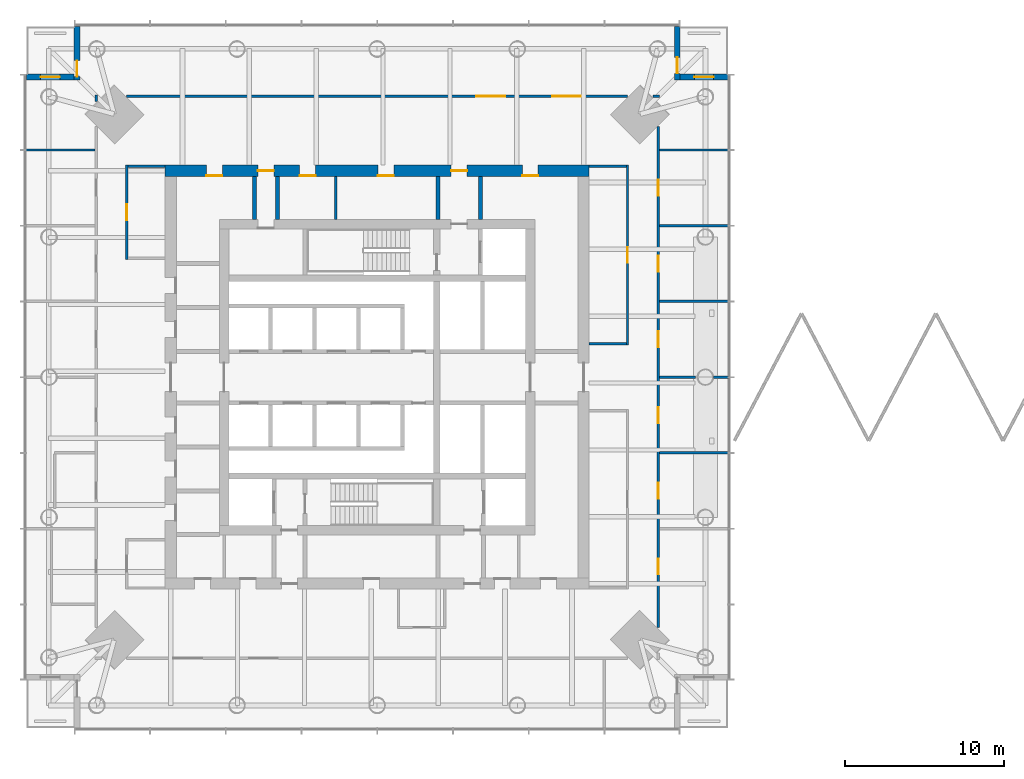
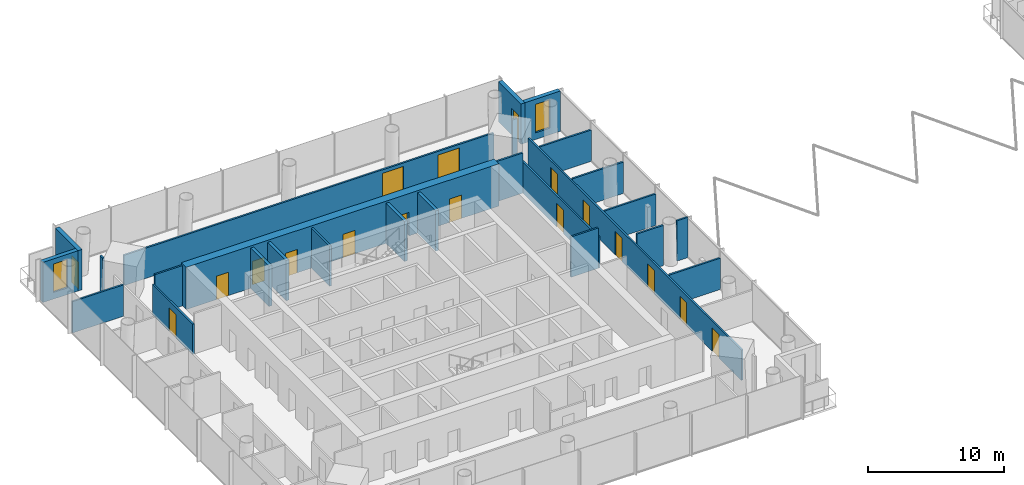
# One storey, part 12 of 19: 26 walls, 18 doors, 2 windows, 20 openings.
"""IFC4 building model written with IfcOpenShell, lengths in metres."""

from ifc_helpers import new_model, si_unit, direction, frame, frame_2d, origin, place, context, subcontext, project, spatial, rectangle, extrude, material, layer, layer_set, type_object, element, fill, save


model = new_model("IFC4")

# Units and contexts
model_context = context("Model", 3, precision=1e-05, world=origin(), true_north=direction((0.0, 1.0)))
body_context = subcontext(model_context, "Body", "Model", "MODEL_VIEW")
ifc_project = project(units=[si_unit("LENGTHUNIT", "METRE"), si_unit("AREAUNIT", "SQUARE_METRE"), si_unit("VOLUMEUNIT", "CUBIC_METRE"), si_unit("PLANEANGLEUNIT", "RADIAN"), si_unit("MASSUNIT", "GRAM", prefix="KILO")], contexts=[model_context])

# Site, building, storey
site_placement = place(None, origin())
site = spatial("IfcSite", under=ifc_project, at=site_placement, CompositionType="ELEMENT")
building_placement = place(site_placement, origin())
building = spatial("IfcBuilding", under=site, at=building_placement, Name="Ostroluk Exchange", CompositionType="ELEMENT")
storey_placement = place(building_placement, frame((0.0, 0.0, 127.39990234375)))
storey = spatial("IfcBuildingStorey", under=building, at=storey_placement, Name="L32", CompositionType="ELEMENT", Elevation=127.39990234375)

# Walls
ifc_material_1 = material(Name="Concrete blockwork", Category="masonry")
ifc_layer_1 = layer(ifc_material_1, 0.14990234375)
ifc_layer_set_1 = layer_set([ifc_layer_1], Name="Blockwork plant room wall 150")
wall_type_1 = type_object("IfcWallType", Name="Blockwork plant room wall 150", PredefinedType="SOLIDWALL", material=ifc_layer_set_1)
wall_1_placement = place(storey_placement, frame((42.40478515625, 55.89990234375, 0.0), z_axis=(0.0, 0.0, 1.0), x_axis=(0.0, 1.0, 0.0)))
element("IfcWall", 1, at=wall_1_placement, inside=storey, type_object=wall_type_1, Name="Core room wall", PredefinedType="SOLIDWALL", context=body_context, shape_type="SweptSolid", body=[
    extrude(rectangle(XDim=2.7001953125, YDim=0.14990234375, at=frame_2d((1.35009765625, 0.0))), origin(), (0.0, 0.0, 1.0), 3.6201171875),
])
ifc_material_2 = material(Name="Concrete blockwork", Category="masonry")
ifc_layer_2 = layer(ifc_material_2, 0.25)
ifc_layer_set_2 = layer_set([ifc_layer_2], Name="Blockwork stair enclosure wall 250")
wall_type_2 = type_object("IfcWallType", Name="Blockwork stair enclosure wall 250", PredefinedType="SOLIDWALL", material=ifc_layer_set_2)
for number, where, z_axis, x_axis, name in (
    (2, (48.804931640625, 55.89990234375, 0.0), (0.0, 0.0, 1.0), (0.0, 1.0, 0.0), "Fire lobby enclosure wall"),
    (3, (51.47509765625, 55.89990234375, 0.0), (0.0, 0.0, 1.0), (0.0, 1.0, 0.0), "Fire lobby enclosure wall"),
    (4, (37.300048828125, 55.89990234375, 0.0), (0.0, 0.0, 1.0), (0.0, 1.0, 0.0), "Core corridor wall"),
    (5, (38.75, 55.89990234375, 0.0), (0.0, 0.0, 1.0), (0.0, 1.0, 0.0), "Core corridor wall"),
):
    element("IfcWall", number, at=place(storey_placement, frame(where, z_axis=z_axis, x_axis=x_axis)), inside=storey, type_object=wall_type_2, Name=name, PredefinedType="SOLIDWALL", context=body_context, shape_type="SweptSolid", body=[
        extrude(rectangle(XDim=2.7001953125, YDim=0.25, at=frame_2d((1.35009765625, 0.0))), origin(), (0.0, 0.0, 1.0), 3.6201171875),
    ])

# Wall, openings, doors
ifc_material_3 = material(Name="Concrete C50/60", Category="concrete")
ifc_layer_3 = layer(ifc_material_3, 0.699951171875)
ifc_layer_set_3 = layer_set([ifc_layer_3], Name="Core wall 700 C50/60")
wall_type_3 = type_object("IfcWallType", Name="Core wall 700 C50/60", PredefinedType="SHEAR", material=ifc_layer_set_3)
wall_2_placement = place(storey_placement, frame((31.699951171875, 58.949951171875, 0.0), z_axis=(0.0, 0.0, 1.0), x_axis=(1.0, 0.0, 0.0)))
wall_2 = element("IfcWall", 6, at=wall_2_placement, inside=storey, type_object=wall_type_3, Name="T1 core wall RN", PredefinedType="SHEAR", context=body_context, shape_type="SweptSolid", body=[
    extrude(rectangle(XDim=26.60009765625, YDim=0.699951171875, at=frame_2d((13.300048828125, 0.0))), origin(), (0.0, 0.0, 1.0), 3.800048828125),
])
opening_1_placement = place(wall_2_placement, frame((17.93994140625, 0.0, 0.0)))
opening_1 = element("IfcOpeningElement", 7, at=opening_1_placement, cuts=wall_2, Name="Opening FD60", PredefinedType="OPENING", context=body_context, shape_type="SweptSolid", body=[
    extrude(rectangle(XDim=1.0, YDim=2.10009765625, at=frame_2d((0.5, 1.050048828125))), frame((0.0, 0.35986328125, 0.0), z_axis=(0.0, -1.0, 0.0), x_axis=(1.0, 0.0, 0.0)), (0.0, 0.0, 1.0), 0.719970703125),
])
opening_2_placement = place(wall_2_placement, frame((5.824951171875, 0.0, 0.0)))
opening_2 = element("IfcOpeningElement", 8, at=opening_2_placement, cuts=wall_2, Name="Opening FD60", PredefinedType="OPENING", context=body_context, shape_type="SweptSolid", body=[
    extrude(rectangle(XDim=1.0, YDim=2.10009765625, at=frame_2d((0.5, 1.050048828125))), frame((0.0, 0.35986328125, 0.0), z_axis=(0.0, -1.0, 0.0), x_axis=(1.0, 0.0, 0.0)), (0.0, 0.0, 1.0), 0.719970703125),
])
opening_3_placement = place(wall_2_placement, frame((2.58740234375, 0.0, 0.0)))
opening_3 = element("IfcOpeningElement", 9, at=opening_3_placement, cuts=wall_2, Name="Opening FD60", PredefinedType="OPENING", context=body_context, shape_type="SweptSolid", body=[
    extrude(rectangle(XDim=1.0, YDim=2.10009765625, at=frame_2d((0.5, 1.050048828125))), frame((0.0, 0.35986328125, 0.0), z_axis=(0.0, -1.0, 0.0), x_axis=(1.0, 0.0, 0.0)), (0.0, 0.0, 1.0), 0.719970703125),
])
opening_4_placement = place(wall_2_placement, frame((8.43994140625, 0.0, 0.0)))
opening_4 = element("IfcOpeningElement", 10, at=opening_4_placement, cuts=wall_2, Name="Opening FD60", PredefinedType="OPENING", context=body_context, shape_type="SweptSolid", body=[
    extrude(rectangle(XDim=1.0, YDim=2.10009765625, at=frame_2d((0.5, 1.050048828125))), frame((0.0, 0.35986328125, 0.0), z_axis=(0.0, -1.0, 0.0), x_axis=(1.0, 0.0, 0.0)), (0.0, 0.0, 1.0), 0.719970703125),
])
opening_5_placement = place(wall_2_placement, frame((13.34228515625, 0.0, 0.0)))
opening_5 = element("IfcOpeningElement", 11, at=opening_5_placement, cuts=wall_2, Name="Opening FD60", PredefinedType="OPENING", context=body_context, shape_type="SweptSolid", body=[
    extrude(rectangle(XDim=1.0, YDim=2.10009765625, at=frame_2d((0.5, 1.050048828125))), frame((0.0, 0.35986328125, 0.0), z_axis=(0.0, -1.0, 0.0), x_axis=(1.0, 0.0, 0.0)), (0.0, 0.0, 1.0), 0.719970703125),
])
opening_6_placement = place(wall_2_placement, frame((22.39990234375, 0.0, 0.0)))
opening_6 = element("IfcOpeningElement", 12, at=opening_6_placement, cuts=wall_2, Name="Opening FD60", PredefinedType="OPENING", context=body_context, shape_type="SweptSolid", body=[
    extrude(rectangle(XDim=1.0, YDim=2.10009765625, at=frame_2d((0.5, 1.050048828125))), frame((0.0, 0.35986328125, 0.0), z_axis=(0.0, -1.0, 0.0), x_axis=(1.0, 0.0, 0.0)), (0.0, 0.0, 1.0), 0.719970703125),
])
ifc_material_4 = material(Name="Steel", Category="steel")
door_type_1 = type_object("IfcDoorType", Name="Fire door EI 60 1000 x 2100", OperationType="SINGLE_SWING_LEFT", PredefinedType="DOOR", material=ifc_material_4)
door_1_placement = place(opening_1_placement, origin())
door_1 = element("IfcDoor", 13, at=door_1_placement, inside=storey, type_object=door_type_1, Name="Firefighting lobby door", OperationType="SINGLE_SWING_RIGHT", OverallHeight=2.10009765625, OverallWidth=1.0, PredefinedType="DOOR", context=body_context, shape_type="SweptSolid", body=[
    extrude(rectangle(XDim=1.0, YDim=2.10009765625, at=frame_2d((0.5, 1.050048828125))), frame((0.0, 0.02490234375, 0.0), z_axis=(0.0, -1.0, 0.0), x_axis=(1.0, 0.0, 0.0)), (0.0, 0.0, 1.0), 0.050048828125),
])
fill(opening_1, door_1)
door_2_placement = place(opening_2_placement, origin())
door_2 = element("IfcDoor", 14, at=door_2_placement, inside=storey, type_object=door_type_1, Name="Core corridor door", OperationType="SINGLE_SWING_LEFT", OverallHeight=2.10009765625, OverallWidth=1.0, PredefinedType="DOOR", context=body_context, shape_type="SweptSolid", body=[
    extrude(rectangle(XDim=1.0, YDim=2.10009765625, at=frame_2d((0.5, 1.050048828125))), frame((0.0, 0.02490234375, 0.0), z_axis=(0.0, -1.0, 0.0), x_axis=(1.0, 0.0, 0.0)), (0.0, 0.0, 1.0), 0.050048828125),
])
fill(opening_2, door_2)
door_3_placement = place(opening_3_placement, origin())
door_3 = element("IfcDoor", 15, at=door_3_placement, inside=storey, type_object=door_type_1, Name="Tenant IT room door", OperationType="SINGLE_SWING_LEFT", OverallHeight=2.10009765625, OverallWidth=1.0, PredefinedType="DOOR", context=body_context, shape_type="SweptSolid", body=[
    extrude(rectangle(XDim=1.0, YDim=2.10009765625, at=frame_2d((0.5, 1.050048828125))), frame((0.0, -0.2900390625, 0.0), z_axis=(0.0, -1.0, 0.0), x_axis=(1.0, 0.0, 0.0)), (0.0, 0.0, 1.0), 0.050048828125),
])
fill(opening_3, door_3)
door_4_placement = place(opening_4_placement, origin())
door_4 = element("IfcDoor", 16, at=door_4_placement, inside=storey, type_object=door_type_1, Name="Print and post room door", OperationType="SINGLE_SWING_LEFT", OverallHeight=2.10009765625, OverallWidth=1.0, PredefinedType="DOOR", context=body_context, shape_type="SweptSolid", body=[
    extrude(rectangle(XDim=1.0, YDim=2.10009765625, at=frame_2d((0.5, 1.050048828125))), frame((0.0, -0.2900390625, 0.0), z_axis=(0.0, -1.0, 0.0), x_axis=(1.0, 0.0, 0.0)), (0.0, 0.0, 1.0), 0.050048828125),
])
fill(opening_4, door_4)
door_5_placement = place(opening_5_placement, origin())
door_5 = element("IfcDoor", 17, at=door_5_placement, inside=storey, type_object=door_type_1, Name="Archive door", OperationType="SINGLE_SWING_RIGHT", OverallHeight=2.10009765625, OverallWidth=1.0, PredefinedType="DOOR", context=body_context, shape_type="SweptSolid", body=[
    extrude(rectangle(XDim=1.0, YDim=2.10009765625, at=frame_2d((0.5, 1.050048828125))), frame((0.0, -0.2900390625, 0.0), z_axis=(0.0, -1.0, 0.0), x_axis=(1.0, 0.0, 0.0)), (0.0, 0.0, 1.0), 0.050048828125),
])
fill(opening_5, door_5)
door_6_placement = place(opening_6_placement, origin())
door_6 = element("IfcDoor", 18, at=door_6_placement, inside=storey, type_object=door_type_1, Name="First aid room door", OperationType="SINGLE_SWING_RIGHT", OverallHeight=2.10009765625, OverallWidth=1.0, PredefinedType="DOOR", context=body_context, shape_type="SweptSolid", body=[
    extrude(rectangle(XDim=1.0, YDim=2.10009765625, at=frame_2d((0.5, 1.050048828125))), frame((0.0, -0.2900390625, 0.0), z_axis=(0.0, -1.0, 0.0), x_axis=(1.0, 0.0, 0.0)), (0.0, 0.0, 1.0), 0.050048828125),
])
fill(opening_6, door_6)

# Wall, opening, door
ifc_material_5 = material(Name="Limestone", Category="masonry")
ifc_layer_4 = layer(ifc_material_5, 0.35009765625)
ifc_layer_set_4 = layer_set([ifc_layer_4], Name="Limestone facade wall 350")
wall_type_4 = type_object("IfcWallType", Name="Limestone facade wall 350", PredefinedType="SOLIDWALL", material=ifc_layer_set_4)
wall_3_placement = place(storey_placement, frame((63.824951171875, 68.0, 0.0), z_axis=(0.0, 0.0, 1.0), x_axis=(0.0, -1.0, 0.0)))
wall_3 = element("IfcWall", 19, at=wall_3_placement, inside=storey, type_object=wall_type_4, Name="Office tower NE corner wall L32 a", PredefinedType="SOLIDWALL", context=body_context, shape_type="SweptSolid", body=[
    extrude(rectangle(XDim=3.35009765625, YDim=0.35009765625, at=frame_2d((1.675048828125, 0.0))), origin(), (0.0, 0.0, 1.0), 3.6201171875),
])
opening_7_placement = place(wall_3_placement, frame((1.949951171875, 0.0, 0.0)))
opening_7 = element("IfcOpeningElement", 20, at=opening_7_placement, cuts=wall_3, Name="Opening D-B1", PredefinedType="OPENING", context=body_context, shape_type="SweptSolid", body=[
    extrude(rectangle(XDim=1.0, YDim=2.39990234375, at=frame_2d((0.5, 1.199951171875))), frame((0.0, 0.18505859375, 0.0), z_axis=(0.0, -1.0, 0.0), x_axis=(1.0, 0.0, 0.0)), (0.0, 0.0, 1.0), 0.3701171875),
])
ifc_material_6 = material(Name="Bronze framed glazed door", Category="aluminium")
door_type_2 = type_object("IfcDoorType", Name="Balcony door 1000 x 2400", OperationType="SINGLE_SWING_LEFT", PredefinedType="DOOR", material=ifc_material_6)
door_7_placement = place(opening_7_placement, origin())
door_7 = element("IfcDoor", 21, at=door_7_placement, inside=storey, type_object=door_type_2, Name="Office tower NE balcony door L32", OperationType="SINGLE_SWING_RIGHT", OverallHeight=2.39990234375, OverallWidth=1.0, PredefinedType="DOOR", context=body_context, shape_type="SweptSolid", body=[
    extrude(rectangle(XDim=1.0, YDim=2.39990234375, at=frame_2d((0.5, 1.199951171875))), frame((0.0, 0.02490234375, 0.0), z_axis=(0.0, -1.0, 0.0), x_axis=(1.0, 0.0, 0.0)), (0.0, 0.0, 1.0), 0.050048828125),
])
fill(opening_7, door_7)

# Wall, opening, window
wall_4_placement = place(storey_placement, frame((64.0, 64.824951171875, 0.0), z_axis=(0.0, 0.0, 1.0), x_axis=(1.0, 0.0, 0.0)))
wall_4 = element("IfcWall", 22, at=wall_4_placement, inside=storey, type_object=wall_type_4, Name="Office tower NE corner wall L32 b", PredefinedType="SOLIDWALL", context=body_context, shape_type="SweptSolid", body=[
    extrude(rectangle(XDim=3.0, YDim=0.35009765625, at=frame_2d((1.5, 0.0))), origin(), (0.0, 0.0, 1.0), 3.6201171875),
])
opening_8_placement = place(wall_4_placement, frame((0.89990234375, 0.0, 0.60009765625)))
opening_8 = element("IfcOpeningElement", 23, at=opening_8_placement, cuts=wall_4, Name="Opening WN-L1", PredefinedType="OPENING", context=body_context, shape_type="SweptSolid", body=[
    extrude(rectangle(XDim=1.199951171875, YDim=2.550048828125, at=frame_2d((0.60009765625, 1.27490234375))), frame((0.0, 0.18505859375, 0.0), z_axis=(0.0, -1.0, 0.0), x_axis=(1.0, 0.0, 0.0)), (0.0, 0.0, 1.0), 0.3701171875),
])
ifc_material_7 = material(Name="Laminated clear glass", Category="glass")
window_type = type_object("IfcWindowType", Name="Lancet window 1200 x 2550", PartitioningType="SINGLE_PANEL", PredefinedType="WINDOW", material=ifc_material_7)
window_1_placement = place(opening_8_placement, origin())
window_1 = element("IfcWindow", 24, at=window_1_placement, inside=storey, type_object=window_type, Name="Office tower NE lancet window L32", OverallHeight=2.550048828125, OverallWidth=1.199951171875, PartitioningType="SINGLE_PANEL", PredefinedType="WINDOW", context=body_context, shape_type="SweptSolid", body=[
    extrude(rectangle(XDim=1.199951171875, YDim=2.550048828125, at=frame_2d((0.60009765625, 1.27490234375))), frame((0.0, 0.030029296875, 0.0), z_axis=(0.0, -1.0, 0.0), x_axis=(1.0, 0.0, 0.0)), (0.0, 0.0, 1.0), 0.06005859375),
])
fill(opening_8, window_1)

# Wall, opening, door
wall_5_placement = place(storey_placement, frame((26.175048828125, 68.0, 0.0), z_axis=(0.0, 0.0, 1.0), x_axis=(0.0, -1.0, 0.0)))
wall_5 = element("IfcWall", 25, at=wall_5_placement, inside=storey, type_object=wall_type_4, Name="Office tower NW corner wall L32 a", PredefinedType="SOLIDWALL", context=body_context, shape_type="SweptSolid", body=[
    extrude(rectangle(XDim=3.35009765625, YDim=0.35009765625, at=frame_2d((1.675048828125, 0.0))), origin(), (0.0, 0.0, 1.0), 3.6201171875),
])
opening_9_placement = place(wall_5_placement, frame((2.14990234375, 0.0, 0.0)))
opening_9 = element("IfcOpeningElement", 26, at=opening_9_placement, cuts=wall_5, Name="Opening D-B1", PredefinedType="OPENING", context=body_context, shape_type="SweptSolid", body=[
    extrude(rectangle(XDim=1.0, YDim=2.39990234375, at=frame_2d((0.5, 1.199951171875))), frame((0.0, 0.18505859375, 0.0), z_axis=(0.0, -1.0, 0.0), x_axis=(1.0, 0.0, 0.0)), (0.0, 0.0, 1.0), 0.3701171875),
])
door_8_placement = place(opening_9_placement, origin())
door_8 = element("IfcDoor", 27, at=door_8_placement, inside=storey, type_object=door_type_2, Name="Office tower NW balcony door L32", OperationType="SINGLE_SWING_RIGHT", OverallHeight=2.39990234375, OverallWidth=1.0, PredefinedType="DOOR", context=body_context, shape_type="SweptSolid", body=[
    extrude(rectangle(XDim=1.0, YDim=2.39990234375, at=frame_2d((0.5, 1.199951171875))), frame((0.0, 0.02490234375, 0.0), z_axis=(0.0, -1.0, 0.0), x_axis=(1.0, 0.0, 0.0)), (0.0, 0.0, 1.0), 0.050048828125),
])
fill(opening_9, door_8)

# Wall, opening, window
wall_6_placement = place(storey_placement, frame((26.0, 64.824951171875, 0.0), z_axis=(0.0, 0.0, 1.0), x_axis=(-1.0, 0.0, 0.0)))
wall_6 = element("IfcWall", 28, at=wall_6_placement, inside=storey, type_object=wall_type_4, Name="Office tower NW corner wall L32 b", PredefinedType="SOLIDWALL", context=body_context, shape_type="SweptSolid", body=[
    extrude(rectangle(XDim=3.0, YDim=0.35009765625, at=frame_2d((1.5, 0.0))), origin(), (0.0, 0.0, 1.0), 3.6201171875),
])
opening_10_placement = place(wall_6_placement, frame((0.89990234375, 0.0, 0.60009765625)))
opening_10 = element("IfcOpeningElement", 29, at=opening_10_placement, cuts=wall_6, Name="Opening WN-L1", PredefinedType="OPENING", context=body_context, shape_type="SweptSolid", body=[
    extrude(rectangle(XDim=1.199951171875, YDim=2.550048828125, at=frame_2d((0.60009765625, 1.27490234375))), frame((0.0, 0.18505859375, 0.0), z_axis=(0.0, -1.0, 0.0), x_axis=(1.0, 0.0, 0.0)), (0.0, 0.0, 1.0), 0.3701171875),
])
window_2_placement = place(opening_10_placement, origin())
window_2 = element("IfcWindow", 30, at=window_2_placement, inside=storey, type_object=window_type, Name="Office tower NW lancet window L32", OverallHeight=2.550048828125, OverallWidth=1.199951171875, PartitioningType="SINGLE_PANEL", PredefinedType="WINDOW", context=body_context, shape_type="SweptSolid", body=[
    extrude(rectangle(XDim=1.199951171875, YDim=2.550048828125, at=frame_2d((0.60009765625, 1.27490234375))), frame((0.0, 0.030029296875, 0.0), z_axis=(0.0, -1.0, 0.0), x_axis=(1.0, 0.0, 0.0)), (0.0, 0.0, 1.0), 0.06005859375),
])
fill(opening_10, window_2)

# Wall, opening, door
ifc_material_8 = material(Name="Gypsum plasterboard partition", Category="gypsum")
ifc_layer_5 = layer(ifc_material_8, 0.14990234375)
ifc_layer_set_5 = layer_set([ifc_layer_5], Name="Plasterboard partition 150")
wall_type_5 = type_object("IfcWallType", Name="Plasterboard partition 150", PredefinedType="PARTITIONING", material=ifc_layer_set_5)
wall_7_placement = place(storey_placement, frame((60.699951171875, 48.02490234375, 0.0), z_axis=(0.0, 0.0, 1.0), x_axis=(0.0, 1.0, 0.0)))
wall_7 = element("IfcWall", 31, at=wall_7_placement, inside=storey, type_object=wall_type_5, Name="Partition", PredefinedType="PARTITIONING", context=body_context, shape_type="SweptSolid", body=[
    extrude(rectangle(XDim=11.275146484375, YDim=0.14990234375, at=frame_2d((5.6376953125, 0.0))), origin(), (0.0, 0.0, 1.0), 2.80615234375),
])
opening_11_placement = place(wall_7_placement, frame((5.137451171875, 0.0, 0.0)))
opening_11 = element("IfcOpeningElement", 32, at=opening_11_placement, cuts=wall_7, Name="Opening D-03", PredefinedType="OPENING", context=body_context, shape_type="SweptSolid", body=[
    extrude(rectangle(XDim=1.0, YDim=2.10009765625, at=frame_2d((0.5, 1.050048828125))), frame((0.0, 0.0849609375, 0.0), z_axis=(0.0, -1.0, 0.0), x_axis=(1.0, 0.0, 0.0)), (0.0, 0.0, 1.0), 0.169921875),
])
ifc_material_9 = material(Name="Timber", Category="wood")
door_type_3 = type_object("IfcDoorType", Name="Internal door 1000 x 2100", OperationType="SINGLE_SWING_LEFT", PredefinedType="DOOR", material=ifc_material_9)
door_9_placement = place(opening_11_placement, origin())
door_9 = element("IfcDoor", 33, at=door_9_placement, inside=storey, type_object=door_type_3, Name="Meeting room door", OperationType="SINGLE_SWING_RIGHT", OverallHeight=2.10009765625, OverallWidth=1.0, PredefinedType="DOOR", context=body_context, shape_type="SweptSolid", body=[
    extrude(rectangle(XDim=1.0, YDim=2.10009765625, at=frame_2d((0.5, 1.050048828125))), frame((0.0, 0.02490234375, 0.0), z_axis=(0.0, -1.0, 0.0), x_axis=(1.0, 0.0, 0.0)), (0.0, 0.0, 1.0), 0.050048828125),
])
fill(opening_11, door_9)

# Walls
for number, where, z_axis, x_axis, name in (
    (34, (58.300048828125, 48.10009765625, 0.0), (0.0, 0.0, 1.0), (1.0, 0.0, 0.0), "Partition"),
    (35, (58.300048828125, 59.22509765625, 0.0), (0.0, 0.0, 1.0), (1.0, 0.0, 0.0), "Partition"),
):
    element("IfcWall", number, at=place(storey_placement, frame(where, z_axis=z_axis, x_axis=x_axis)), inside=storey, type_object=wall_type_5, Name=name, PredefinedType="PARTITIONING", context=body_context, shape_type="SweptSolid", body=[
        extrude(rectangle(XDim=2.324951171875, YDim=0.14990234375, at=frame_2d((1.16259765625, 0.0))), origin(), (0.0, 0.0, 1.0), 3.6201171875),
    ])

# Wall, opening, door
wall_8_placement = place(storey_placement, frame((29.300048828125, 59.300048828125, 0.0), z_axis=(0.0, 0.0, 1.0), x_axis=(0.0, -1.0, 0.0)))
wall_8 = element("IfcWall", 36, at=wall_8_placement, inside=storey, type_object=wall_type_5, Name="Partition", PredefinedType="PARTITIONING", context=body_context, shape_type="SweptSolid", body=[
    extrude(rectangle(XDim=5.925048828125, YDim=0.14990234375, at=frame_2d((2.96240234375, 0.0))), origin(), (0.0, 0.0, 1.0), 2.72021484375),
])
opening_12_placement = place(wall_8_placement, frame((2.46240234375, 0.0, 0.0)))
opening_12 = element("IfcOpeningElement", 37, at=opening_12_placement, cuts=wall_8, Name="Opening D-03", PredefinedType="OPENING", context=body_context, shape_type="SweptSolid", body=[
    extrude(rectangle(XDim=1.0, YDim=2.10009765625, at=frame_2d((0.5, 1.050048828125))), frame((0.0, 0.0849609375, 0.0), z_axis=(0.0, -1.0, 0.0), x_axis=(1.0, 0.0, 0.0)), (0.0, 0.0, 1.0), 0.169921875),
])
door_10_placement = place(opening_12_placement, origin())
door_10 = element("IfcDoor", 38, at=door_10_placement, inside=storey, type_object=door_type_3, Name="Meeting room door", OperationType="SINGLE_SWING_RIGHT", OverallHeight=2.10009765625, OverallWidth=1.0, PredefinedType="DOOR", context=body_context, shape_type="SweptSolid", body=[
    extrude(rectangle(XDim=1.0, YDim=2.10009765625, at=frame_2d((0.5, 1.050048828125))), frame((0.0, 0.02490234375, 0.0), z_axis=(0.0, -1.0, 0.0), x_axis=(1.0, 0.0, 0.0)), (0.0, 0.0, 1.0), 0.050048828125),
])
fill(opening_12, door_10)

# Wall
wall_9_placement = place(storey_placement, frame((31.699951171875, 59.22509765625, 0.0), z_axis=(0.0, 0.0, 1.0), x_axis=(-1.0, 0.0, 0.0)))
element("IfcWall", 39, at=wall_9_placement, inside=storey, type_object=wall_type_5, Name="Partition", PredefinedType="PARTITIONING", context=body_context, shape_type="SweptSolid", body=[
    extrude(rectangle(XDim=2.324951171875, YDim=0.14990234375, at=frame_2d((1.16259765625, 0.0))), origin(), (0.0, 0.0, 1.0), 3.6201171875),
])

# Wall, openings, doors
wall_10_placement = place(storey_placement, frame((62.625, 30.28857421875, 0.0), z_axis=(0.0, 0.0, 1.0), x_axis=(0.0, 1.0, 0.0)))
wall_10 = element("IfcWall", 40, at=wall_10_placement, inside=storey, type_object=wall_type_5, Name="Partition", PredefinedType="PARTITIONING", context=body_context, shape_type="SweptSolid", body=[
    extrude(rectangle(XDim=31.4228515625, YDim=0.14990234375, at=frame_2d((15.71142578125, 0.0))), origin(), (0.0, 0.0, 1.0), 2.72021484375),
])
opening_13_placement = place(wall_10_placement, frame((3.33642578125, 0.0, 0.0)))
opening_13 = element("IfcOpeningElement", 41, at=opening_13_placement, cuts=wall_10, Name="Opening D-03", PredefinedType="OPENING", context=body_context, shape_type="SweptSolid", body=[
    extrude(rectangle(XDim=1.0, YDim=2.10009765625, at=frame_2d((0.5, 1.050048828125))), frame((0.0, 0.0849609375, 0.0), z_axis=(0.0, -1.0, 0.0), x_axis=(1.0, 0.0, 0.0)), (0.0, 0.0, 1.0), 0.169921875),
])
opening_14_placement = place(wall_10_placement, frame((8.08642578125, 0.0, 0.0)))
opening_14 = element("IfcOpeningElement", 42, at=opening_14_placement, cuts=wall_10, Name="Opening D-03", PredefinedType="OPENING", context=body_context, shape_type="SweptSolid", body=[
    extrude(rectangle(XDim=1.0, YDim=2.10009765625, at=frame_2d((0.5, 1.050048828125))), frame((0.0, 0.0849609375, 0.0), z_axis=(0.0, -1.0, 0.0), x_axis=(1.0, 0.0, 0.0)), (0.0, 0.0, 1.0), 0.169921875),
])
opening_15_placement = place(wall_10_placement, frame((12.83642578125, 0.0, 0.0)))
opening_15 = element("IfcOpeningElement", 43, at=opening_15_placement, cuts=wall_10, Name="Opening D-03", PredefinedType="OPENING", context=body_context, shape_type="SweptSolid", body=[
    extrude(rectangle(XDim=1.0, YDim=2.10009765625, at=frame_2d((0.5, 1.050048828125))), frame((0.0, 0.0849609375, 0.0), z_axis=(0.0, -1.0, 0.0), x_axis=(1.0, 0.0, 0.0)), (0.0, 0.0, 1.0), 0.169921875),
])
opening_16_placement = place(wall_10_placement, frame((17.58642578125, 0.0, 0.0)))
opening_16 = element("IfcOpeningElement", 44, at=opening_16_placement, cuts=wall_10, Name="Opening D-03", PredefinedType="OPENING", context=body_context, shape_type="SweptSolid", body=[
    extrude(rectangle(XDim=1.0, YDim=2.10009765625, at=frame_2d((0.5, 1.050048828125))), frame((0.0, 0.0849609375, 0.0), z_axis=(0.0, -1.0, 0.0), x_axis=(1.0, 0.0, 0.0)), (0.0, 0.0, 1.0), 0.169921875),
])
opening_17_placement = place(wall_10_placement, frame((22.33642578125, 0.0, 0.0)))
opening_17 = element("IfcOpeningElement", 45, at=opening_17_placement, cuts=wall_10, Name="Opening D-03", PredefinedType="OPENING", context=body_context, shape_type="SweptSolid", body=[
    extrude(rectangle(XDim=1.0, YDim=2.10009765625, at=frame_2d((0.5, 1.050048828125))), frame((0.0, 0.0849609375, 0.0), z_axis=(0.0, -1.0, 0.0), x_axis=(1.0, 0.0, 0.0)), (0.0, 0.0, 1.0), 0.169921875),
])
opening_18_placement = place(wall_10_placement, frame((27.08642578125, 0.0, 0.0)))
opening_18 = element("IfcOpeningElement", 46, at=opening_18_placement, cuts=wall_10, Name="Opening D-03", PredefinedType="OPENING", context=body_context, shape_type="SweptSolid", body=[
    extrude(rectangle(XDim=1.0, YDim=2.10009765625, at=frame_2d((0.5, 1.050048828125))), frame((0.0, 0.0849609375, 0.0), z_axis=(0.0, -1.0, 0.0), x_axis=(1.0, 0.0, 0.0)), (0.0, 0.0, 1.0), 0.169921875),
])
door_11_placement = place(opening_13_placement, origin())
door_11 = element("IfcDoor", 47, at=door_11_placement, inside=storey, type_object=door_type_3, Name="Office suite door", OperationType="SINGLE_SWING_LEFT", OverallHeight=2.10009765625, OverallWidth=1.0, PredefinedType="DOOR", context=body_context, shape_type="SweptSolid", body=[
    extrude(rectangle(XDim=1.0, YDim=2.10009765625, at=frame_2d((0.5, 1.050048828125))), frame((0.0, 0.02490234375, 0.0), z_axis=(0.0, -1.0, 0.0), x_axis=(1.0, 0.0, 0.0)), (0.0, 0.0, 1.0), 0.050048828125),
])
fill(opening_13, door_11)
door_12_placement = place(opening_14_placement, origin())
door_12 = element("IfcDoor", 48, at=door_12_placement, inside=storey, type_object=door_type_3, Name="Meeting room door", OperationType="SINGLE_SWING_LEFT", OverallHeight=2.10009765625, OverallWidth=1.0, PredefinedType="DOOR", context=body_context, shape_type="SweptSolid", body=[
    extrude(rectangle(XDim=1.0, YDim=2.10009765625, at=frame_2d((0.5, 1.050048828125))), frame((0.0, 0.02490234375, 0.0), z_axis=(0.0, -1.0, 0.0), x_axis=(1.0, 0.0, 0.0)), (0.0, 0.0, 1.0), 0.050048828125),
])
fill(opening_14, door_12)
door_13_placement = place(opening_15_placement, origin())
door_13 = element("IfcDoor", 49, at=door_13_placement, inside=storey, type_object=door_type_3, Name="Pantry door", OperationType="SINGLE_SWING_LEFT", OverallHeight=2.10009765625, OverallWidth=1.0, PredefinedType="DOOR", context=body_context, shape_type="SweptSolid", body=[
    extrude(rectangle(XDim=1.0, YDim=2.10009765625, at=frame_2d((0.5, 1.050048828125))), frame((0.0, 0.02490234375, 0.0), z_axis=(0.0, -1.0, 0.0), x_axis=(1.0, 0.0, 0.0)), (0.0, 0.0, 1.0), 0.050048828125),
])
fill(opening_15, door_13)
door_14_placement = place(opening_16_placement, origin())
door_14 = element("IfcDoor", 50, at=door_14_placement, inside=storey, type_object=door_type_3, Name="Meeting room door", OperationType="SINGLE_SWING_RIGHT", OverallHeight=2.10009765625, OverallWidth=1.0, PredefinedType="DOOR", context=body_context, shape_type="SweptSolid", body=[
    extrude(rectangle(XDim=1.0, YDim=2.10009765625, at=frame_2d((0.5, 1.050048828125))), frame((0.0, 0.02490234375, 0.0), z_axis=(0.0, -1.0, 0.0), x_axis=(1.0, 0.0, 0.0)), (0.0, 0.0, 1.0), 0.050048828125),
])
fill(opening_16, door_14)
door_15_placement = place(opening_17_placement, origin())
door_15 = element("IfcDoor", 51, at=door_15_placement, inside=storey, type_object=door_type_3, Name="Office door", OperationType="SINGLE_SWING_RIGHT", OverallHeight=2.10009765625, OverallWidth=1.0, PredefinedType="DOOR", context=body_context, shape_type="SweptSolid", body=[
    extrude(rectangle(XDim=1.0, YDim=2.10009765625, at=frame_2d((0.5, 1.050048828125))), frame((0.0, 0.02490234375, 0.0), z_axis=(0.0, -1.0, 0.0), x_axis=(1.0, 0.0, 0.0)), (0.0, 0.0, 1.0), 0.050048828125),
])
fill(opening_17, door_15)
door_16_placement = place(opening_18_placement, origin())
door_16 = element("IfcDoor", 52, at=door_16_placement, inside=storey, type_object=door_type_3, Name="Office door", OperationType="SINGLE_SWING_RIGHT", OverallHeight=2.10009765625, OverallWidth=1.0, PredefinedType="DOOR", context=body_context, shape_type="SweptSolid", body=[
    extrude(rectangle(XDim=1.0, YDim=2.10009765625, at=frame_2d((0.5, 1.050048828125))), frame((0.0, 0.02490234375, 0.0), z_axis=(0.0, -1.0, 0.0), x_axis=(1.0, 0.0, 0.0)), (0.0, 0.0, 1.0), 0.050048828125),
])
fill(opening_18, door_16)

# Walls
wall_11_placement = place(storey_placement, frame((62.699951171875, 41.25, 0.0), z_axis=(0.0, 0.0, 1.0), x_axis=(1.0, 0.0, 0.0)))
element("IfcWall", 53, at=wall_11_placement, inside=storey, type_object=wall_type_5, Name="Partition", PredefinedType="PARTITIONING", context=body_context, shape_type="SweptSolid", body=[
    extrude(rectangle(XDim=4.340087890625, YDim=0.14990234375, at=frame_2d((2.169921875, 0.0))), origin(), (0.0, 0.0, 1.0), 2.820068359375),
])
wall_12_placement = place(storey_placement, frame((62.699951171875, 46.0, 0.0), z_axis=(0.0, 0.0, 1.0), x_axis=(1.0, 0.0, 0.0)))
element("IfcWall", 54, at=wall_12_placement, inside=storey, type_object=wall_type_5, Name="Partition", PredefinedType="PARTITIONING", context=body_context, shape_type="SweptSolid", body=[
    extrude(rectangle(XDim=2.2705078125, YDim=0.14990234375, at=frame_2d((1.13525390625, 0.0))), origin(), (0.0, 0.0, 1.0), 3.6201171875),
])
wall_13_placement = place(storey_placement, frame((66.10791015625, 46.0, 0.0), z_axis=(0.0, 0.0, 1.0), x_axis=(1.0, 0.0, 0.0)))
element("IfcWall", 55, at=wall_13_placement, inside=storey, type_object=wall_type_5, Name="Partition", PredefinedType="PARTITIONING", context=body_context, shape_type="SweptSolid", body=[
    extrude(rectangle(XDim=0.93212890625, YDim=0.14990234375, at=frame_2d((0.466064453125, 0.0))), origin(), (0.0, 0.0, 1.0), 3.6201171875),
])
for number, where, z_axis, x_axis, name in (
    (56, (62.699951171875, 50.75, 0.0), (0.0, 0.0, 1.0), (1.0, 0.0, 0.0), "Partition"),
    (57, (62.699951171875, 55.5, 0.0), (0.0, 0.0, 1.0), (1.0, 0.0, 0.0), "Partition"),
    (58, (62.699951171875, 60.25, 0.0), (0.0, 0.0, 1.0), (1.0, 0.0, 0.0), "Partition"),
):
    element("IfcWall", number, at=place(storey_placement, frame(where, z_axis=z_axis, x_axis=x_axis)), inside=storey, type_object=wall_type_5, Name=name, PredefinedType="PARTITIONING", context=body_context, shape_type="SweptSolid", body=[
        extrude(rectangle(XDim=4.340087890625, YDim=0.14990234375, at=frame_2d((2.169921875, 0.0))), origin(), (0.0, 0.0, 1.0), 2.820068359375),
    ])
wall_14_placement = place(storey_placement, frame((62.699951171875, 63.625, 0.0), z_axis=(0.0, 0.0, 1.0), x_axis=(-1.0, 0.0, 0.0)))
element("IfcWall", 59, at=wall_14_placement, inside=storey, type_object=wall_type_5, Name="Partition", PredefinedType="PARTITIONING", context=body_context, shape_type="SweptSolid", body=[
    extrude(rectangle(XDim=0.411376953125, YDim=0.14990234375, at=frame_2d((0.20556640625, 0.0))), origin(), (0.0, 0.0, 1.0), 3.320068359375),
])

# Wall, openings, doors
wall_15_placement = place(storey_placement, frame((60.71142578125, 63.625, 0.0), z_axis=(0.0, 0.0, 1.0), x_axis=(-1.0, 0.0, 0.0)))
wall_15 = element("IfcWall", 60, at=wall_15_placement, inside=storey, type_object=wall_type_5, Name="Partition", PredefinedType="PARTITIONING", context=body_context, shape_type="SweptSolid", body=[
    extrude(rectangle(XDim=31.4228515625, YDim=0.14990234375, at=frame_2d((15.71142578125, 0.0))), origin(), (0.0, 0.0, 1.0), 2.72021484375),
])
opening_19_placement = place(wall_15_placement, frame((2.9365234375, 0.0, 0.0)))
opening_19 = element("IfcOpeningElement", 61, at=opening_19_placement, cuts=wall_15, Name="Opening D-04", PredefinedType="OPENING", context=body_context, shape_type="SweptSolid", body=[
    extrude(rectangle(XDim=1.800048828125, YDim=2.39990234375, at=frame_2d((0.89990234375, 1.199951171875))), frame((0.0, 0.0849609375, 0.0), z_axis=(0.0, -1.0, 0.0), x_axis=(1.0, 0.0, 0.0)), (0.0, 0.0, 1.0), 0.169921875),
])
opening_20_placement = place(wall_15_placement, frame((7.6865234375, 0.0, 0.0)))
opening_20 = element("IfcOpeningElement", 62, at=opening_20_placement, cuts=wall_15, Name="Opening D-04", PredefinedType="OPENING", context=body_context, shape_type="SweptSolid", body=[
    extrude(rectangle(XDim=1.800048828125, YDim=2.39990234375, at=frame_2d((0.89990234375, 1.199951171875))), frame((0.0, 0.0849609375, 0.0), z_axis=(0.0, -1.0, 0.0), x_axis=(1.0, 0.0, 0.0)), (0.0, 0.0, 1.0), 0.169921875),
])
ifc_material_10 = material(Name="Timber", Category="wood")
door_type_4 = type_object("IfcDoorType", Name="Double door 1800 x 2400", OperationType="DOUBLE_DOOR_SINGLE_SWING", PredefinedType="DOOR", material=ifc_material_10)
door_17_placement = place(opening_19_placement, origin())
door_17 = element("IfcDoor", 63, at=door_17_placement, inside=storey, type_object=door_type_4, Name="Open plan office door", OperationType="DOUBLE_DOOR_SINGLE_SWING", OverallHeight=2.39990234375, OverallWidth=1.800048828125, PredefinedType="DOOR", context=body_context, shape_type="SweptSolid", body=[
    extrude(rectangle(XDim=1.800048828125, YDim=2.39990234375, at=frame_2d((0.89990234375, 1.199951171875))), frame((0.0, 0.02490234375, 0.0), z_axis=(0.0, -1.0, 0.0), x_axis=(1.0, 0.0, 0.0)), (0.0, 0.0, 1.0), 0.050048828125),
])
fill(opening_19, door_17)
door_18_placement = place(opening_20_placement, origin())
door_18 = element("IfcDoor", 64, at=door_18_placement, inside=storey, type_object=door_type_4, Name="Open plan office door", OperationType="DOUBLE_DOOR_SINGLE_SWING", OverallHeight=2.39990234375, OverallWidth=1.800048828125, PredefinedType="DOOR", context=body_context, shape_type="SweptSolid", body=[
    extrude(rectangle(XDim=1.800048828125, YDim=2.39990234375, at=frame_2d((0.89990234375, 1.199951171875))), frame((0.0, 0.02490234375, 0.0), z_axis=(0.0, -1.0, 0.0), x_axis=(1.0, 0.0, 0.0)), (0.0, 0.0, 1.0), 0.050048828125),
])
fill(opening_20, door_18)

# Walls
wall_16_placement = place(storey_placement, frame((27.375, 63.699951171875, 0.0), z_axis=(0.0, 0.0, 1.0), x_axis=(0.0, -1.0, 0.0)))
element("IfcWall", 65, at=wall_16_placement, inside=storey, type_object=wall_type_5, Name="Partition", PredefinedType="PARTITIONING", context=body_context, shape_type="SweptSolid", body=[
    extrude(rectangle(XDim=0.411376953125, YDim=0.14990234375, at=frame_2d((0.20556640625, 0.0))), origin(), (0.0, 0.0, 1.0), 3.320068359375),
])
wall_17_placement = place(storey_placement, frame((27.300048828125, 60.25, 0.0), z_axis=(0.0, 0.0, 1.0), x_axis=(-1.0, 0.0, 0.0)))
element("IfcWall", 66, at=wall_17_placement, inside=storey, type_object=wall_type_5, Name="Partition", PredefinedType="PARTITIONING", context=body_context, shape_type="SweptSolid", body=[
    extrude(rectangle(XDim=4.340087890625, YDim=0.14990234375, at=frame_2d((2.169921875, 0.0))), origin(), (0.0, 0.0, 1.0), 2.820068359375),
])

save(model, "model.ifc")
